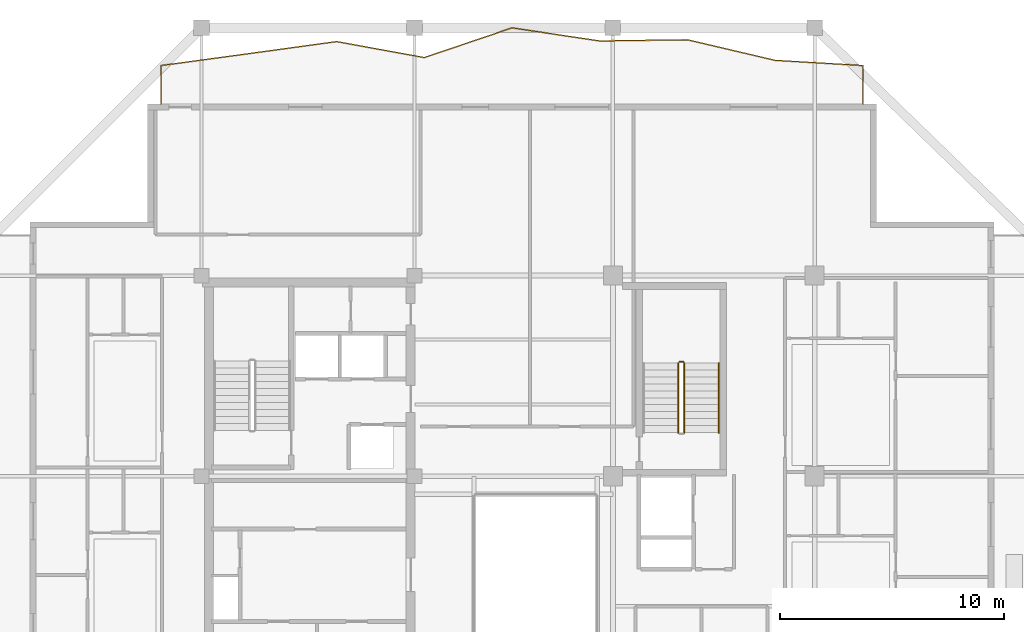
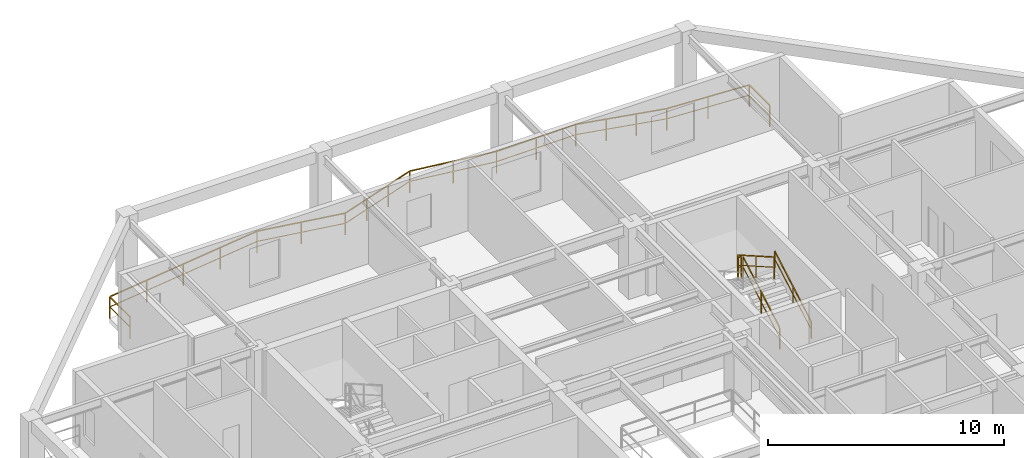
# One storey, part 12 of 13: 5 railings.
"""IFC4 building model written with IfcOpenShell, lengths in metres."""

from ifc_helpers import new_model, si_unit, direction, frame, origin, origin_2d, place, context, subcontext, project, spatial, rectangle, extrude, material, type_object, element, save


model = new_model("IFC4")

# Units and contexts
model_context = context("Model", 3, precision=1e-05, world=origin(), true_north=direction((0.0, 1.0)))
body_context = subcontext(model_context, "Body", "Model", "MODEL_VIEW")
ifc_project = project(units=[si_unit("LENGTHUNIT", "METRE"), si_unit("AREAUNIT", "SQUARE_METRE"), si_unit("VOLUMEUNIT", "CUBIC_METRE"), si_unit("PLANEANGLEUNIT", "RADIAN"), si_unit("MASSUNIT", "GRAM", prefix="KILO")], contexts=[model_context])

# Site, building, storey
site_placement = place(None, origin())
site = spatial("IfcSite", under=ifc_project, at=site_placement, CompositionType="ELEMENT")
building_placement = place(site_placement, origin())
building = spatial("IfcBuilding", under=site, at=building_placement, Name="Kundavana Baori Tower", CompositionType="ELEMENT")
storey_placement = place(building_placement, frame((0.0, 0.0, 225.800048828125)))
storey = spatial("IfcBuildingStorey", under=building, at=storey_placement, Name="L55", CompositionType="ELEMENT", Elevation=225.800048828125)

# Railings
ifc_material_1 = material(Name="Architectural Patinated Bronze Metalwork")
railing_type_1 = type_object("IfcRailingType", Name="RL-BAL-1150", PredefinedType="BALUSTRADE", material=ifc_material_1)
railing_1_placement = place(storey_placement, frame((13.64990234375, 49.60009765625, 0.0)))
element("IfcRailing", 1, at=railing_1_placement, inside=storey, type_object=railing_type_1, Name="L55 Loggia Balcony Balustrade N", PredefinedType="BALUSTRADE", context=body_context, shape_type="SweptSolid", body=[
    extrude(rectangle(XDim=0.048095703125, YDim=0.048095703125, at=origin_2d()), frame((0.0, 0.0, 1.1259765625), z_axis=(0.0, 1.0, 0.0), x_axis=(-1.0, 0.0, 0.0)), (0.0, 0.0, 1.0), 1.719970703125),
    extrude(rectangle(XDim=0.03125, YDim=0.03125, at=origin_2d()), frame((0.0, 0.0, 0.597900390625), z_axis=(0.0, 1.0, 0.0), x_axis=(-1.0, 0.0, 0.0)), (0.0, 0.0, 1.0), 1.719970703125),
    extrude(rectangle(XDim=0.048095703125, YDim=0.048095703125, at=origin_2d()), frame((0.0, 1.719970703125, 1.1259765625), z_axis=(0.990880522141, 0.13474342597, 0.0), x_axis=(-0.13474342597, 0.990880522141, 0.0)), (0.0, 0.0, 1.0), 3.947998046875),
    extrude(rectangle(XDim=0.03125, YDim=0.03125, at=origin_2d()), frame((0.0, 1.719970703125, 0.597900390625), z_axis=(0.990880522141, 0.13474342597, 0.0), x_axis=(-0.13474342597, 0.990880522141, 0.0)), (0.0, 0.0, 1.0), 3.947998046875),
    extrude(rectangle(XDim=0.048095703125, YDim=0.048095703125, at=origin_2d()), frame((3.912109375, 2.251953125, 1.1259765625), z_axis=(0.990685928468, 0.136166776916, 0.0), x_axis=(-0.136166776916, 0.990685928468, 0.0)), (0.0, 0.0, 1.0), 3.949951171875),
    extrude(rectangle(XDim=0.03125, YDim=0.03125, at=origin_2d()), frame((3.912109375, 2.251953125, 0.597900390625), z_axis=(0.990685928468, 0.136166776916, 0.0), x_axis=(-0.136166776916, 0.990685928468, 0.0)), (0.0, 0.0, 1.0), 3.949951171875),
    extrude(rectangle(XDim=0.048095703125, YDim=0.048095703125, at=origin_2d()), frame((7.8251953125, 2.789794921875, 1.1259765625), z_axis=(0.98380502376, -0.179241946052, 0.0), x_axis=(0.179241946052, 0.98380502376, 0.0)), (0.0, 0.0, 1.0), 3.977294921875),
    extrude(rectangle(XDim=0.03125, YDim=0.03125, at=origin_2d()), frame((7.8251953125, 2.789794921875, 0.597900390625), z_axis=(0.98380502376, -0.179241946052, 0.0), x_axis=(0.179241946052, 0.98380502376, 0.0)), (0.0, 0.0, 1.0), 3.977294921875),
    extrude(rectangle(XDim=0.048095703125, YDim=0.048095703125, at=origin_2d()), frame((11.738037109375, 2.076904296875, 1.1259765625), z_axis=(0.947296863291, 0.32035707078, 0.0), x_axis=(-0.32035707078, 0.947296863291, 0.0)), (0.0, 0.0, 1.0), 4.129638671875),
    extrude(rectangle(XDim=0.03125, YDim=0.03125, at=origin_2d()), frame((11.738037109375, 2.076904296875, 0.597900390625), z_axis=(0.947296863291, 0.32035707078, 0.0), x_axis=(-0.32035707078, 0.947296863291, 0.0)), (0.0, 0.0, 1.0), 4.129638671875),
    extrude(rectangle(XDim=0.048095703125, YDim=0.048095703125, at=origin_2d()), frame((15.650146484375, 3.39990234375, 1.1259765625), z_axis=(0.989081184135, -0.147371677027, 0.0), x_axis=(0.147371677027, 0.989081184135, 0.0)), (0.0, 0.0, 1.0), 3.9560546875),
    extrude(rectangle(XDim=0.03125, YDim=0.03125, at=origin_2d()), frame((15.650146484375, 3.39990234375, 0.597900390625), z_axis=(0.989081184135, -0.147371677027, 0.0), x_axis=(0.147371677027, 0.989081184135, 0.0)), (0.0, 0.0, 1.0), 3.9560546875),
    extrude(rectangle(XDim=0.048095703125, YDim=0.048095703125, at=origin_2d()), frame((19.56298828125, 2.81689453125, 1.1259765625), z_axis=(0.999904906523, 0.01379050077, 0.0), x_axis=(-0.01379050077, 0.999904906523, 0.0)), (0.0, 0.0, 1.0), 3.91259765625),
    extrude(rectangle(XDim=0.03125, YDim=0.03125, at=origin_2d()), frame((19.56298828125, 2.81689453125, 0.597900390625), z_axis=(0.999904906523, 0.01379050077, 0.0), x_axis=(-0.01379050077, 0.999904906523, 0.0)), (0.0, 0.0, 1.0), 3.91259765625),
    extrude(rectangle(XDim=0.048095703125, YDim=0.048095703125, at=origin_2d()), frame((23.47509765625, 2.870849609375, 1.1259765625), z_axis=(0.973515852472, -0.228619520134, 0.0), x_axis=(0.228619520134, 0.973515852472, 0.0)), (0.0, 0.0, 1.0), 4.01953125),
    extrude(rectangle(XDim=0.03125, YDim=0.03125, at=origin_2d()), frame((23.47509765625, 2.870849609375, 0.597900390625), z_axis=(0.973515852472, -0.228619520134, 0.0), x_axis=(0.228619520134, 0.973515852472, 0.0)), (0.0, 0.0, 1.0), 4.01953125),
    extrude(rectangle(XDim=0.048095703125, YDim=0.048095703125, at=origin_2d()), frame((27.38818359375, 1.951904296875, 1.1259765625), z_axis=(0.998246981937, -0.059185834915, 0.0), x_axis=(0.059185834915, 0.998246981937, 0.0)), (0.0, 0.0, 1.0), 3.918701171875),
    extrude(rectangle(XDim=0.03125, YDim=0.03125, at=origin_2d()), frame((27.38818359375, 1.951904296875, 0.597900390625), z_axis=(0.998246981937, -0.059185834915, 0.0), x_axis=(0.059185834915, 0.998246981937, 0.0)), (0.0, 0.0, 1.0), 3.918701171875),
    extrude(rectangle(XDim=0.048095703125, YDim=0.048095703125, at=origin_2d()), frame((31.300048828125, 1.719970703125, 1.1259765625), z_axis=(0.0, -1.0, 0.0), x_axis=(1.0, 0.0, 0.0)), (0.0, 0.0, 1.0), 1.719970703125),
    extrude(rectangle(XDim=0.03125, YDim=0.03125, at=origin_2d()), frame((31.300048828125, 1.719970703125, 0.597900390625), z_axis=(0.0, -1.0, 0.0), x_axis=(1.0, 0.0, 0.0)), (0.0, 0.0, 1.0), 1.719970703125),
    extrude(rectangle(XDim=0.0419921875, YDim=0.0419921875, at=origin_2d()), origin(), (0.0, 0.0, 1.0), 1.101806640625),
    extrude(rectangle(XDim=0.0419921875, YDim=0.0419921875, at=origin_2d()), frame((0.0, 1.719970703125, 0.0)), (0.0, 0.0, 1.0), 1.101806640625),
    extrude(rectangle(XDim=0.0419921875, YDim=0.0419921875, at=origin_2d()), frame((1.9560546875, 1.98583984375, 0.0)), (0.0, 0.0, 1.0), 1.101806640625),
    extrude(rectangle(XDim=0.0419921875, YDim=0.0419921875, at=origin_2d()), frame((3.912109375, 2.251953125, 0.0)), (0.0, 0.0, 1.0), 1.101806640625),
    extrude(rectangle(XDim=0.0419921875, YDim=0.0419921875, at=origin_2d()), frame((5.86865234375, 2.52099609375, 0.0)), (0.0, 0.0, 1.0), 1.101806640625),
    extrude(rectangle(XDim=0.0419921875, YDim=0.0419921875, at=origin_2d()), frame((7.8251953125, 2.789794921875, 0.0)), (0.0, 0.0, 1.0), 1.101806640625),
    extrude(rectangle(XDim=0.0419921875, YDim=0.0419921875, at=origin_2d()), frame((9.78173828125, 2.433349609375, 0.0)), (0.0, 0.0, 1.0), 1.101806640625),
    extrude(rectangle(XDim=0.0419921875, YDim=0.0419921875, at=origin_2d()), frame((11.738037109375, 2.076904296875, 0.0)), (0.0, 0.0, 1.0), 1.101806640625),
    extrude(rectangle(XDim=0.0419921875, YDim=0.0419921875, at=origin_2d()), frame((13.0419921875, 2.517822265625, 0.0)), (0.0, 0.0, 1.0), 1.101806640625),
    extrude(rectangle(XDim=0.0419921875, YDim=0.0419921875, at=origin_2d()), frame((14.34619140625, 2.958984375, 0.0)), (0.0, 0.0, 1.0), 1.101806640625),
    extrude(rectangle(XDim=0.0419921875, YDim=0.0419921875, at=origin_2d()), frame((15.650146484375, 3.39990234375, 0.0)), (0.0, 0.0, 1.0), 1.101806640625),
    extrude(rectangle(XDim=0.0419921875, YDim=0.0419921875, at=origin_2d()), frame((17.6064453125, 3.1083984375, 0.0)), (0.0, 0.0, 1.0), 1.101806640625),
    extrude(rectangle(XDim=0.0419921875, YDim=0.0419921875, at=origin_2d()), frame((19.56298828125, 2.81689453125, 0.0)), (0.0, 0.0, 1.0), 1.101806640625),
    extrude(rectangle(XDim=0.0419921875, YDim=0.0419921875, at=origin_2d()), frame((21.51904296875, 2.84375, 0.0)), (0.0, 0.0, 1.0), 1.101806640625),
    extrude(rectangle(XDim=0.0419921875, YDim=0.0419921875, at=origin_2d()), frame((23.47509765625, 2.870849609375, 0.0)), (0.0, 0.0, 1.0), 1.101806640625),
    extrude(rectangle(XDim=0.0419921875, YDim=0.0419921875, at=origin_2d()), frame((24.779541015625, 2.564453125, 0.0)), (0.0, 0.0, 1.0), 1.101806640625),
    extrude(rectangle(XDim=0.0419921875, YDim=0.0419921875, at=origin_2d()), frame((26.083740234375, 2.25830078125, 0.0)), (0.0, 0.0, 1.0), 1.101806640625),
    extrude(rectangle(XDim=0.0419921875, YDim=0.0419921875, at=origin_2d()), frame((27.38818359375, 1.951904296875, 0.0)), (0.0, 0.0, 1.0), 1.101806640625),
    extrude(rectangle(XDim=0.0419921875, YDim=0.0419921875, at=origin_2d()), frame((29.34423828125, 1.8359375, 0.0)), (0.0, 0.0, 1.0), 1.101806640625),
    extrude(rectangle(XDim=0.0419921875, YDim=0.0419921875, at=origin_2d()), frame((31.300048828125, 1.719970703125, 0.0)), (0.0, 0.0, 1.0), 1.101806640625),
    extrude(rectangle(XDim=0.0419921875, YDim=0.0419921875, at=origin_2d()), frame((31.300048828125, 0.0, 0.0)), (0.0, 0.0, 1.0), 1.101806640625),
])
ifc_material_2 = material(Name="Architectural Patinated Bronze Metalwork")
railing_type_2 = type_object("IfcRailingType", Name="RL-GRD-1150", PredefinedType="GUARDRAIL", material=ifc_material_2)
railing_2_placement = place(storey_placement, frame((36.97998046875, 34.949951171875, 0.17724609375)))
element("IfcRailing", 2, at=railing_2_placement, inside=storey, type_object=railing_type_2, Name="L55 ST3 stair guard 1", PredefinedType="GUARDRAIL", context=body_context, shape_type="SweptSolid", body=[
    extrude(rectangle(XDim=0.048095703125, YDim=0.048095703125, at=origin_2d()), frame((0.0, 0.0, 1.1259765625), z_axis=(0.0, 0.868095856688, 0.496396599103), x_axis=(-1.0, 0.0, 0.0)), (0.0, 0.0, 1.0), 3.571044921875),
    extrude(rectangle(XDim=0.03125, YDim=0.03125, at=origin_2d()), frame((0.0, 0.0, 0.597900390625), z_axis=(0.0, 0.868095856688, 0.496396599103), x_axis=(-1.0, 0.0, 0.0)), (0.0, 0.0, 1.0), 3.571044921875),
    extrude(rectangle(XDim=0.0419921875, YDim=0.0419921875, at=origin_2d()), origin(), (0.0, 0.0, 1.0), 1.101806640625),
    extrude(rectangle(XDim=0.0419921875, YDim=0.0419921875, at=origin_2d()), frame((0.0, 1.550048828125, 0.88623046875)), (0.0, 0.0, 1.0), 1.101806640625),
    extrude(rectangle(XDim=0.0419921875, YDim=0.0419921875, at=origin_2d()), frame((0.0, 3.10009765625, 1.772705078125)), (0.0, 0.0, 1.0), 1.101806640625),
])
railing_3_placement = place(storey_placement, frame((36.929931640625, 38.10009765625, 1.949951171875)))
element("IfcRailing", 3, at=railing_3_placement, inside=storey, type_object=railing_type_2, Name="L55 ST3 stair guard 2", PredefinedType="GUARDRAIL", context=body_context, shape_type="SweptSolid", body=[
    extrude(rectangle(XDim=0.048095703125, YDim=0.048095703125, at=origin_2d()), frame((0.0, 0.0, 1.1259765625), z_axis=(-1.0, 0.0, 0.0), x_axis=(0.0, -1.0, 0.0)), (0.0, 0.0, 1.0), 0.159912109375),
    extrude(rectangle(XDim=0.03125, YDim=0.03125, at=origin_2d()), frame((0.0, 0.0, 0.597900390625), z_axis=(-1.0, 0.0, 0.0), x_axis=(0.0, -1.0, 0.0)), (0.0, 0.0, 1.0), 0.159912109375),
    extrude(rectangle(XDim=0.0419921875, YDim=0.0419921875, at=origin_2d()), origin(), (0.0, 0.0, 1.0), 1.101806640625),
    extrude(rectangle(XDim=0.0419921875, YDim=0.0419921875, at=origin_2d()), frame((-0.159912109375, 0.0, 0.0)), (0.0, 0.0, 1.0), 1.101806640625),
])
railing_4_placement = place(storey_placement, frame((36.719970703125, 38.050048828125, 2.127197265625)))
element("IfcRailing", 4, at=railing_4_placement, inside=storey, type_object=railing_type_2, Name="L55 ST3 stair guard 3", PredefinedType="GUARDRAIL", context=body_context, shape_type="SweptSolid", body=[
    extrude(rectangle(XDim=0.048095703125, YDim=0.048095703125, at=origin_2d()), frame((0.0, 0.0, 1.1259765625), z_axis=(0.0, -0.868095856688, 0.496396599103), x_axis=(1.0, 0.0, 0.0)), (0.0, 0.0, 1.0), 3.571044921875),
    extrude(rectangle(XDim=0.03125, YDim=0.03125, at=origin_2d()), frame((0.0, 0.0, 0.597900390625), z_axis=(0.0, -0.868095856688, 0.496396599103), x_axis=(1.0, 0.0, 0.0)), (0.0, 0.0, 1.0), 3.571044921875),
    extrude(rectangle(XDim=0.0419921875, YDim=0.0419921875, at=origin_2d()), origin(), (0.0, 0.0, 1.0), 1.101806640625),
    extrude(rectangle(XDim=0.0419921875, YDim=0.0419921875, at=origin_2d()), frame((0.0, -1.550048828125, 0.88623046875)), (0.0, 0.0, 1.0), 1.101806640625),
    extrude(rectangle(XDim=0.0419921875, YDim=0.0419921875, at=origin_2d()), frame((0.0, -3.10009765625, 1.772705078125)), (0.0, 0.0, 1.0), 1.101806640625),
])
ifc_material_3 = material(Name="Architectural Patinated Bronze Metalwork")
railing_type_3 = type_object("IfcRailingType", Name="RL-HND-920", PredefinedType="HANDRAIL", material=ifc_material_3)
railing_5_placement = place(storey_placement, frame((38.530029296875, 34.949951171875, 0.17724609375)))
element("IfcRailing", 5, at=railing_5_placement, inside=storey, type_object=railing_type_3, Name="L55 ST3 stair handrail 1", PredefinedType="HANDRAIL", context=body_context, shape_type="SweptSolid", body=[
    extrude(rectangle(XDim=0.048095703125, YDim=0.048095703125, at=origin_2d()), frame((0.0, 0.0, 0.8759765625), z_axis=(0.0, 0.868095856688, 0.496396599103), x_axis=(-1.0, 0.0, 0.0)), (0.0, 0.0, 1.0), 3.571044921875),
    extrude(rectangle(XDim=0.03125, YDim=0.03125, at=origin_2d()), frame((0.0, 0.0, 0.468017578125), z_axis=(0.0, 0.868095856688, 0.496396599103), x_axis=(-1.0, 0.0, 0.0)), (0.0, 0.0, 1.0), 3.571044921875),
    extrude(rectangle(XDim=0.0419921875, YDim=0.0419921875, at=origin_2d()), origin(), (0.0, 0.0, 1.0), 0.851806640625),
    extrude(rectangle(XDim=0.0419921875, YDim=0.0419921875, at=origin_2d()), frame((0.0, 1.550048828125, 0.88623046875)), (0.0, 0.0, 1.0), 0.851806640625),
    extrude(rectangle(XDim=0.0419921875, YDim=0.0419921875, at=origin_2d()), frame((0.0, 3.10009765625, 1.772705078125)), (0.0, 0.0, 1.0), 0.851806640625),
])

save(model, "model.ifc")
